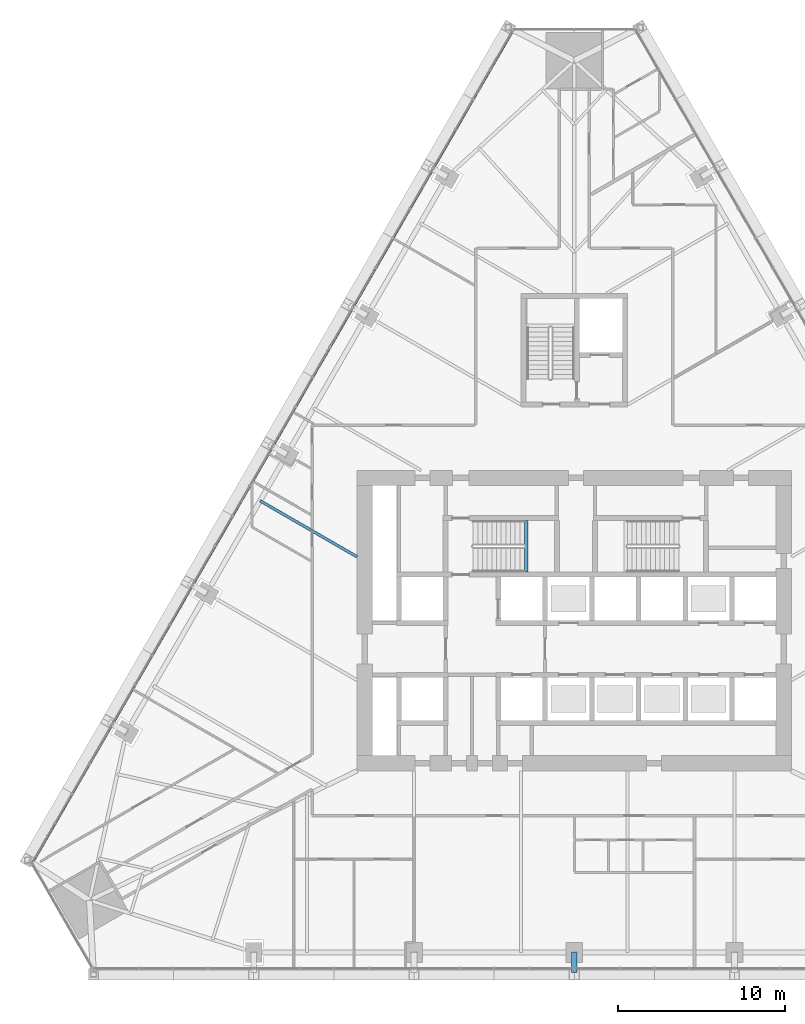
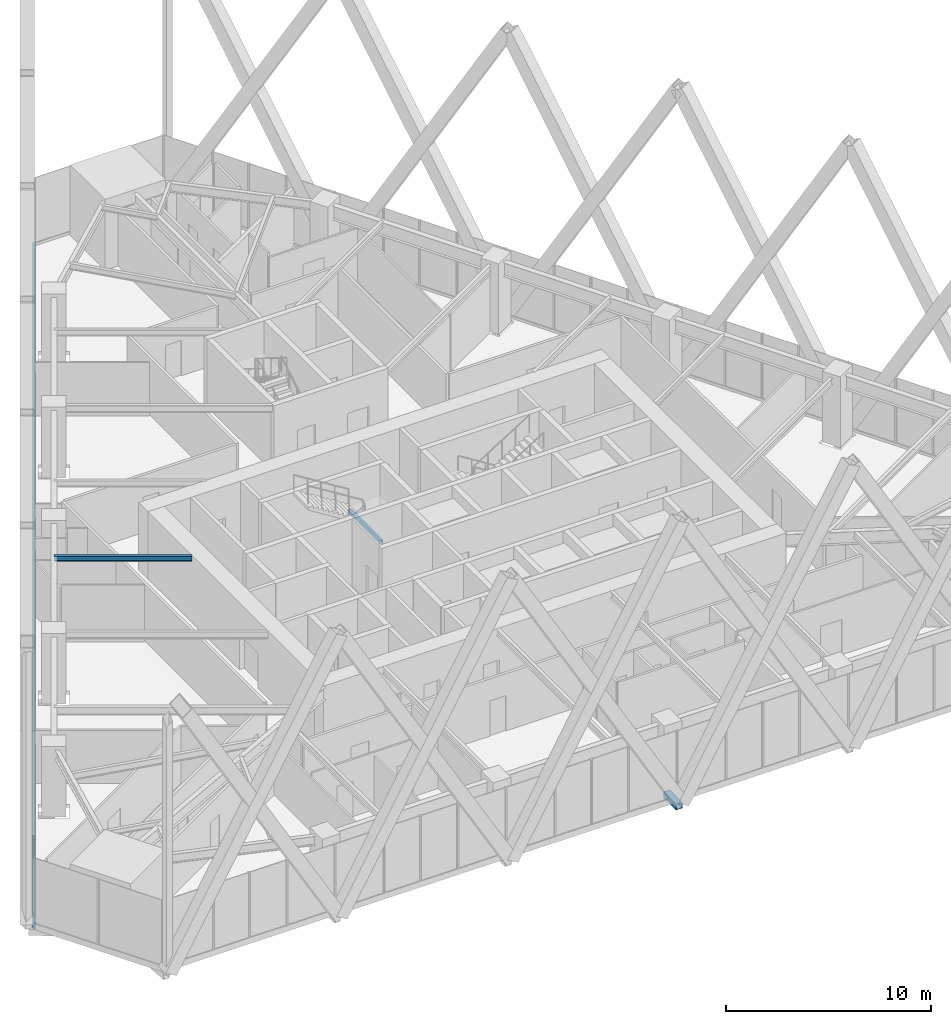
# One storey, part 4 of 26: 2 beams, 2 members, 1 element without a shape of its own.
"""IFC4 building model written with IfcOpenShell, lengths in metres."""

from ifc_helpers import new_model, si_unit, direction, frame, origin, origin_2d, place, context, subcontext, project, spatial, rectangle, hollow_rectangle, i_section, extrude, material, layer, layer_set, material_profile, profile_set, type_object, element, aggregate, save


model = new_model("IFC4")

# Units and contexts
model_context = context("Model", 3, precision=1e-05, world=origin(), true_north=direction((0.0, 1.0)))
body_context = subcontext(model_context, "Body", "Model", "MODEL_VIEW")
ifc_project = project(units=[si_unit("LENGTHUNIT", "METRE"), si_unit("AREAUNIT", "SQUARE_METRE"), si_unit("VOLUMEUNIT", "CUBIC_METRE"), si_unit("PLANEANGLEUNIT", "RADIAN"), si_unit("MASSUNIT", "GRAM", prefix="KILO")], contexts=[model_context])

# Site, building, storey
site_placement = place(None, origin())
site = spatial("IfcSite", under=ifc_project, at=site_placement, CompositionType="ELEMENT")
building_placement = place(site_placement, origin())
building = spatial("IfcBuilding", under=site, at=building_placement, Name="Firuza Gate Tower and Library", CompositionType="ELEMENT")
storey_placement = place(building_placement, frame((0.0, 0.0, 40.0)))
storey = spatial("IfcBuildingStorey", under=building, at=storey_placement, Name="L08", CompositionType="ELEMENT", Elevation=40.0)

# Curtain wall, member
ifc_material_1 = material(Name="Aluminium 6063-T6", Category="aluminium")
ifc_layer = layer(ifc_material_1, 0.14990234375)
ifc_layer_set = layer_set([ifc_layer], Name="Unitised curtain wall, offices")
curtain_wall_type = type_object("IfcCurtainWallType", Name="Unitised curtain wall, offices", PredefinedType="NOTDEFINED", material=ifc_layer_set)
curtain_wall_placement = place(storey_placement, origin())
curtain_wall = element("IfcCurtainWall", 1, at=curtain_wall_placement, inside=storey, type_object=curtain_wall_type, Name="CW1 L08 W face", PredefinedType="NOTDEFINED")
ifc_material_2 = material(Name="Aluminium 6063-T6", Category="aluminium")
ifc_material_profile_1 = material_profile(ifc_material_2, rectangle(XDim=0.14990234375, YDim=0.35009765625, at=origin_2d()))
ifc_profile_set_1 = profile_set([ifc_material_profile_1], Name="Aluminium 6063-T6")
member_type_1 = type_object("IfcMemberType", Name="Curtain wall transom 350x150", PredefinedType="USERDEFINED", material=ifc_profile_set_1)
member_1_placement = place(storey_placement, frame((71.356689453125, 110.408935546875, -0.02490234375), z_axis=(-0.499998069382, -0.866026518424, 0.0), x_axis=(0.866026518424, -0.499998069382, 0.0)))
member_1 = element("IfcMember", 2, at=member_1_placement, type_object=member_type_1, Name="Transom", ObjectType="TRANSOM", PredefinedType="USERDEFINED", context=body_context, shape_type="SweptSolid", body=[
    extrude(rectangle(XDim=0.14990234375, YDim=0.35009765625, at=origin_2d()), origin(), (0.0, 0.0, 1.0), 57.686767578125),
])
aggregate(curtain_wall, [member_1])

# Member
ifc_material_3 = material(Name="Steel S355", Category="steel")
ifc_material_profile_2 = material_profile(ifc_material_3, hollow_rectangle(XDim=0.355712890625, YDim=0.355712890625, WallThickness=0.014892578125, at=origin_2d()))
ifc_profile_set_2 = profile_set([ifc_material_profile_2], Name="Steel S355")
member_type_2 = type_object("IfcMemberType", Name="HSS356x356x16 Lattice node tie", PredefinedType="BRACE", material=ifc_profile_set_2)
member_2_placement = place(storey_placement, frame((75.0, 55.115478515625, -0.340087890625), z_axis=(0.0, -1.0, 0.0), x_axis=(1.0, 0.0, 0.0)))
element("IfcMember", 3, at=member_2_placement, inside=storey, type_object=member_type_2, Name="Lattice node tie S L08 11", PredefinedType="BRACE", context=body_context, shape_type="SweptSolid", body=[
    extrude(hollow_rectangle(XDim=0.355712890625, YDim=0.355712890625, WallThickness=0.014892578125, at=origin_2d()), origin(), (0.0, 0.0, 1.0), 1.215087890625),
])

# Beams
ifc_material_4 = material(Name="Concrete C35/45", Category="concrete")
ifc_material_profile_3 = material_profile(ifc_material_4, rectangle(XDim=0.199951171875, YDim=0.199951171875, at=origin_2d()))
ifc_profile_set_3 = profile_set([ifc_material_profile_3], Name="Concrete C35/45")
beam_type_1 = type_object("IfcBeamType", Name="Stair landing bearer 200x200", PredefinedType="BEAM", material=ifc_profile_set_3)
beam_1_placement = place(storey_placement, frame((72.1201171875, 77.89990234375, 1.800048828125), z_axis=(0.0, 1.0, 0.0), x_axis=(-1.0, 0.0, 0.0)))
element("IfcBeam", 4, at=beam_1_placement, inside=storey, type_object=beam_type_1, Name="Landing bearer L08 stair 1", PredefinedType="BEAM", context=body_context, shape_type="SweptSolid", body=[
    extrude(rectangle(XDim=0.199951171875, YDim=0.199951171875, at=origin_2d()), origin(), (0.0, 0.0, 1.0), 3.080078125),
])
ifc_material_5 = material(Name="Steel S355", Category="steel")
ifc_material_profile_4 = material_profile(ifc_material_5, i_section(OverallWidth=0.1650390625, OverallDepth=0.31005859375, WebThickness=0.005859375, FlangeThickness=0.009765625, at=origin_2d()))
ifc_profile_set_4 = profile_set([ifc_material_profile_4], Name="Steel S355")
beam_type_2 = type_object("IfcBeamType", Name="W310x39 Floor beam", PredefinedType="JOIST", material=ifc_profile_set_4)
beam_2_placement = place(storey_placement, frame((56.179443359375, 82.171142578125, 3.844970703125), z_axis=(0.866019234261, -0.500010685776, 0.0), x_axis=(0.500010685776, 0.866019234261, 0.0)))
element("IfcBeam", 5, at=beam_2_placement, inside=storey, type_object=beam_type_2, Name="Floor beam L08 s83", PredefinedType="JOIST", context=body_context, shape_type="SweptSolid", body=[
    extrude(i_section(OverallWidth=0.1650390625, OverallDepth=0.31005859375, WebThickness=0.005859375, FlangeThickness=0.009765625, at=origin_2d()), origin(), (0.0, 0.0, 1.0), 6.720947265625),
])

save(model, "model.ifc")
